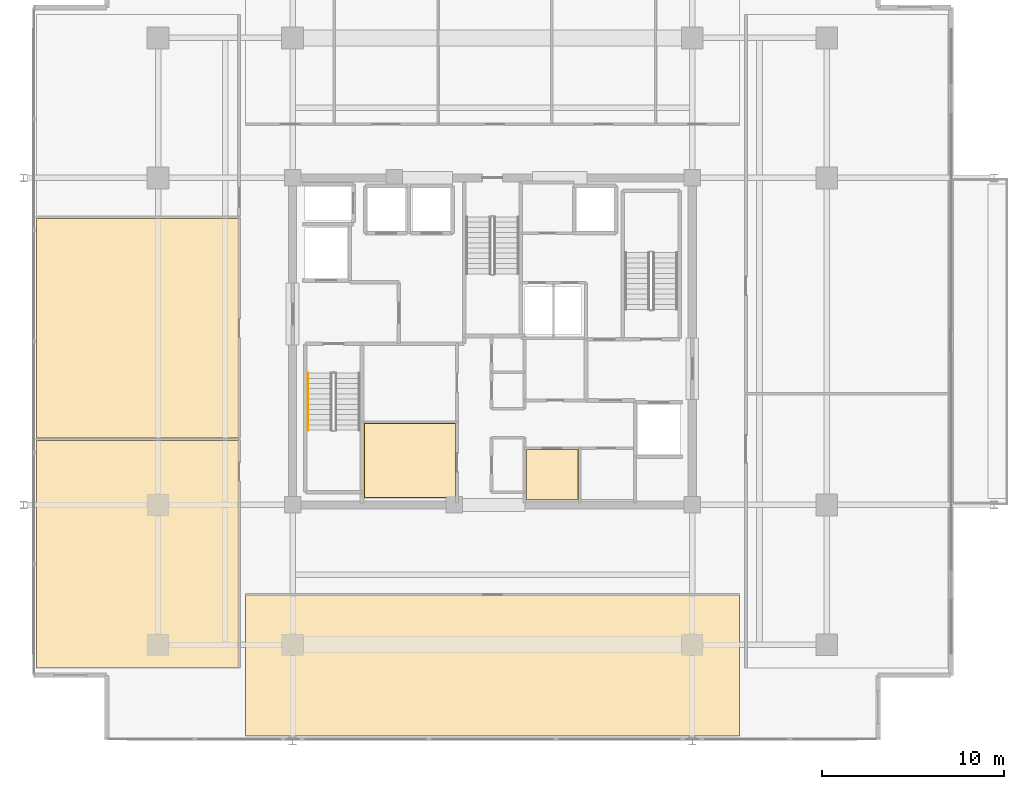
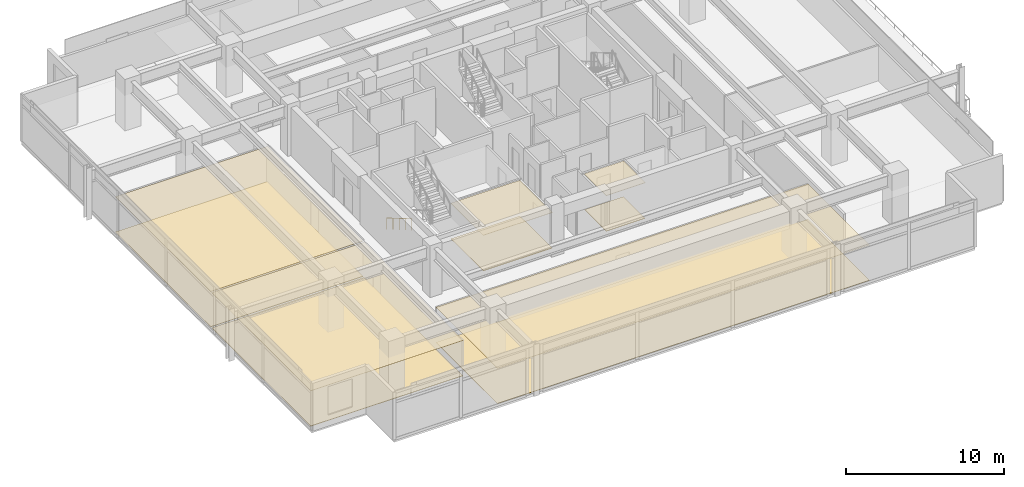
# One storey, part 17 of 20: 10 coverings, 1 railing.
"""IFC4 building model written with IfcOpenShell, lengths in metres."""

from ifc_helpers import new_model, si_unit, direction, frame, origin, origin_2d, place, context, subcontext, project, spatial, polyline, circle, outline, extrude, material, layer, layer_set, type_object, element, save


model = new_model("IFC4")

# Units and contexts
model_context = context("Model", 3, precision=1e-05, world=origin(), true_north=direction((0.0, 1.0)))
body_context = subcontext(model_context, "Body", "Model", "MODEL_VIEW")
ifc_project = project(units=[si_unit("LENGTHUNIT", "METRE"), si_unit("AREAUNIT", "SQUARE_METRE"), si_unit("VOLUMEUNIT", "CUBIC_METRE"), si_unit("PLANEANGLEUNIT", "RADIAN"), si_unit("MASSUNIT", "GRAM", prefix="KILO")], contexts=[model_context])

# Site, building, storey
site_placement = place(None, origin())
site = spatial("IfcSite", under=ifc_project, at=site_placement, CompositionType="ELEMENT")
building_placement = place(site_placement, origin())
building = spatial("IfcBuilding", under=site, at=building_placement, Name="Kovane Verandah Tower", CompositionType="ELEMENT")
storey_placement = place(building_placement, frame((0.0, 0.0, 291.199951171875)))
storey = spatial("IfcBuildingStorey", under=building, at=storey_placement, Name="L68", CompositionType="ELEMENT", Elevation=291.199951171875)

# Coverings
ifc_material_1 = material(Name="Perforated Acoustic Mineral-Fibre Ceiling Tile", Category="gypsum")
ifc_layer_1 = layer(ifc_material_1, 0.02490234375)
ifc_layer_set_1 = layer_set([ifc_layer_1], Name="Perforated Acoustic Mineral-Fibre Ceiling Tile")
covering_type_1 = type_object("IfcCoveringType", Name="CV-CEIL-25", PredefinedType="CEILING", material=ifc_layer_set_1)
covering_1_placement = place(storey_placement, frame((0.0, 0.0, 2.755126953125)))
element("IfcCovering", 1, at=covering_1_placement, inside=storey, type_object=covering_type_1, Name="L68 IT Server Room Acoustic Ceiling", PredefinedType="CEILING", context=body_context, shape_type="SweptSolid", body=[
    extrude(outline(polyline([(32.93505859375, 18.885009765625), (37.9951171875, 18.885009765625), (37.9951171875, 22.9951171875), (32.93505859375, 22.9951171875), (32.93505859375, 18.885009765625)])), origin(), (0.0, 0.0, 1.0), 0.02490234375),
])
covering_2_placement = place(storey_placement, frame((0.0, 0.0, 2.755126953125)))
element("IfcCovering", 2, at=covering_2_placement, inside=storey, type_object=covering_type_1, Name="L68 AV Control Room Acoustic Ceiling", PredefinedType="CEILING", context=body_context, shape_type="SweptSolid", body=[
    extrude(outline(polyline([(41.864990234375, 18.784912109375), (44.735107421875, 18.784912109375), (44.735107421875, 21.56494140625), (41.864990234375, 21.56494140625), (41.864990234375, 18.784912109375)])), origin(), (0.0, 0.0, 1.0), 0.02490234375),
])
covering_3_placement = place(storey_placement, frame((0.0, 0.0, 2.728515625)))
element("IfcCovering", 3, at=covering_3_placement, inside=storey, type_object=covering_type_1, Name="L68 Collaboration Hub S1 Acoustic Ceiling", PredefinedType="CEILING", context=body_context, shape_type="SweptSolid", body=[
    extrude(outline(polyline([(26.39990234375, 5.769287109375), (53.60009765625, 5.769287109375), (53.60009765625, 13.550048828125), (26.39990234375, 13.550048828125), (26.39990234375, 5.769287109375)])), origin(), (0.0, 0.0, 1.0), 0.02490234375),
])
covering_4_placement = place(storey_placement, frame((0.0, 0.0, 2.728515625)))
element("IfcCovering", 4, at=covering_4_placement, inside=storey, type_object=covering_type_1, Name="L68 Document and Print Room W1 Acoustic Ceiling", PredefinedType="CEILING", context=body_context, shape_type="SweptSolid", body=[
    extrude(outline(polyline([(14.918212890625, 9.519287109375), (26.050048828125, 9.519287109375), (26.050048828125, 22.035888671875), (14.918212890625, 22.035888671875), (14.918212890625, 9.519287109375)])), origin(), (0.0, 0.0, 1.0), 0.02490234375),
])
covering_5_placement = place(storey_placement, frame((0.0, 0.0, 2.728515625)))
element("IfcCovering", 5, at=covering_5_placement, inside=storey, type_object=covering_type_1, Name="L68 Open Plan Office W2 Acoustic Ceiling", PredefinedType="CEILING", context=body_context, shape_type="SweptSolid", body=[
    extrude(outline(polyline([(14.918212890625, 22.17578125), (26.050048828125, 22.17578125), (26.050048828125, 34.2626953125), (14.918212890625, 34.2626953125), (14.918212890625, 22.17578125)])), origin(), (0.0, 0.0, 1.0), 0.02490234375),
])
ifc_material_2 = material(Name="Polished Terrazzo and Raised-Access Carpet Tile Finish", Category="concrete")
ifc_layer_2 = layer(ifc_material_2, 0.030029296875)
ifc_layer_set_2 = layer_set([ifc_layer_2], Name="Polished Terrazzo and Raised-Access Carpet Tile Finish")
covering_type_2 = type_object("IfcCoveringType", Name="CV-FLOR-30", PredefinedType="FLOORING", material=ifc_layer_set_2)
covering_6_placement = place(storey_placement, origin())
element("IfcCovering", 6, at=covering_6_placement, inside=storey, type_object=covering_type_2, Name="L68 IT Server Room Floor Finish", PredefinedType="FLOORING", context=body_context, shape_type="SweptSolid", body=[
    extrude(outline(polyline([(32.949951171875, 18.89990234375), (37.97998046875, 18.89990234375), (37.97998046875, 22.97998046875), (32.949951171875, 22.97998046875), (32.949951171875, 18.89990234375)])), origin(), (0.0, 0.0, 1.0), 0.030029296875),
])
covering_7_placement = place(storey_placement, origin())
element("IfcCovering", 7, at=covering_7_placement, inside=storey, type_object=covering_type_2, Name="L68 AV Control Room Floor Finish", PredefinedType="FLOORING", context=body_context, shape_type="SweptSolid", body=[
    extrude(outline(polyline([(41.8798828125, 18.800048828125), (44.719970703125, 18.800048828125), (44.719970703125, 21.550048828125), (41.8798828125, 21.550048828125), (41.8798828125, 18.800048828125)])), origin(), (0.0, 0.0, 1.0), 0.030029296875),
])
covering_8_placement = place(storey_placement, origin())
element("IfcCovering", 8, at=covering_8_placement, inside=storey, type_object=covering_type_2, Name="L68 Collaboration Hub S1 Floor Finish", PredefinedType="FLOORING", context=body_context, shape_type="SweptSolid", body=[
    extrude(outline(polyline([(26.39990234375, 5.769287109375), (53.60009765625, 5.769287109375), (53.60009765625, 13.550048828125), (26.39990234375, 13.550048828125), (26.39990234375, 5.769287109375)])), origin(), (0.0, 0.0, 1.0), 0.030029296875),
])
covering_9_placement = place(storey_placement, origin())
element("IfcCovering", 9, at=covering_9_placement, inside=storey, type_object=covering_type_2, Name="L68 Document and Print Room W1 Floor Finish", PredefinedType="FLOORING", context=body_context, shape_type="SweptSolid", body=[
    extrude(outline(polyline([(14.918212890625, 9.519287109375), (26.050048828125, 9.519287109375), (26.050048828125, 22.035888671875), (14.918212890625, 22.035888671875), (14.918212890625, 9.519287109375)])), origin(), (0.0, 0.0, 1.0), 0.030029296875),
])
covering_10_placement = place(storey_placement, origin())
element("IfcCovering", 10, at=covering_10_placement, inside=storey, type_object=covering_type_2, Name="L68 Open Plan Office W2 Floor Finish", PredefinedType="FLOORING", context=body_context, shape_type="SweptSolid", body=[
    extrude(outline(polyline([(14.918212890625, 22.17578125), (26.050048828125, 22.17578125), (26.050048828125, 34.2626953125), (14.918212890625, 34.2626953125), (14.918212890625, 22.17578125)])), origin(), (0.0, 0.0, 1.0), 0.030029296875),
])

# Railing
ifc_material_3 = material(Name="Brushed Stainless Steel Handrail", Category="steel")
railing_type = type_object("IfcRailingType", Name="RL-HAND-920", PredefinedType="HANDRAIL", material=ifc_material_3)
railing_placement = place(storey_placement, frame((29.85009765625, 25.75, 0.166748046875)))
element("IfcRailing", 11, at=railing_placement, inside=storey, type_object=railing_type, Name="L68 ST-01 stair handrail 1", PredefinedType="HANDRAIL", context=body_context, shape_type="SweptSolid", body=[
    extrude(circle(Radius=0.02392578125, at=origin_2d()), frame((0.0, 0.0, 0.8759765625), z_axis=(0.0, -0.863239559939, 0.504794475164), x_axis=(1.0, 0.0, 0.0)), (0.0, 0.0, 1.0), 3.631591796875),
    extrude(circle(Radius=0.02099609375, at=origin_2d()), origin(), (0.0, 0.0, 1.0), 0.851806640625),
    extrude(circle(Radius=0.02099609375, at=origin_2d()), frame((0.0, -0.78369140625, 0.458251953125)), (0.0, 0.0, 1.0), 0.851806640625),
    extrude(circle(Radius=0.02099609375, at=origin_2d()), frame((0.0, -1.5673828125, 0.91650390625)), (0.0, 0.0, 1.0), 0.851806640625),
    extrude(circle(Radius=0.02099609375, at=origin_2d()), frame((0.0, -2.351318359375, 1.375)), (0.0, 0.0, 1.0), 0.851806640625),
    extrude(circle(Radius=0.02099609375, at=origin_2d()), frame((0.0, -3.135009765625, 1.833251953125)), (0.0, 0.0, 1.0), 0.851806640625),
])

save(model, "model.ifc")
